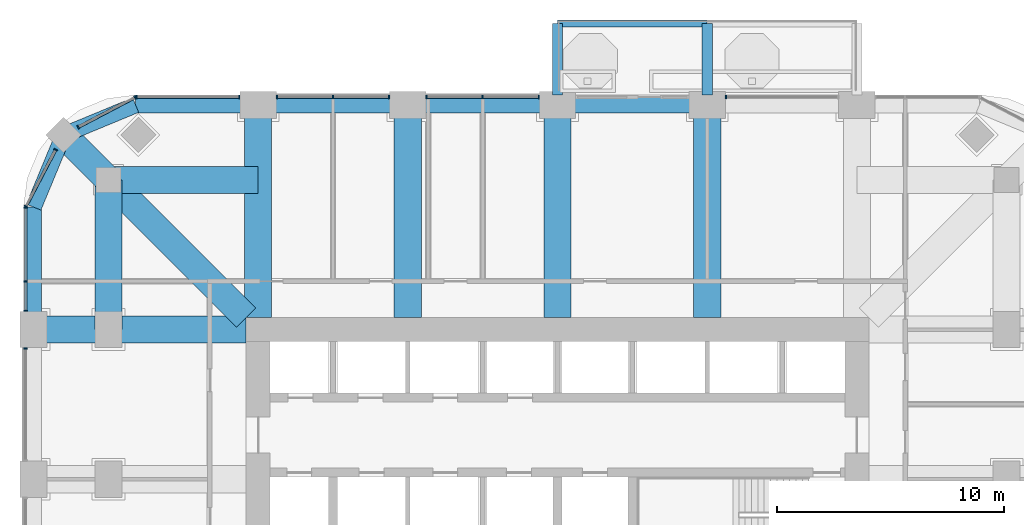
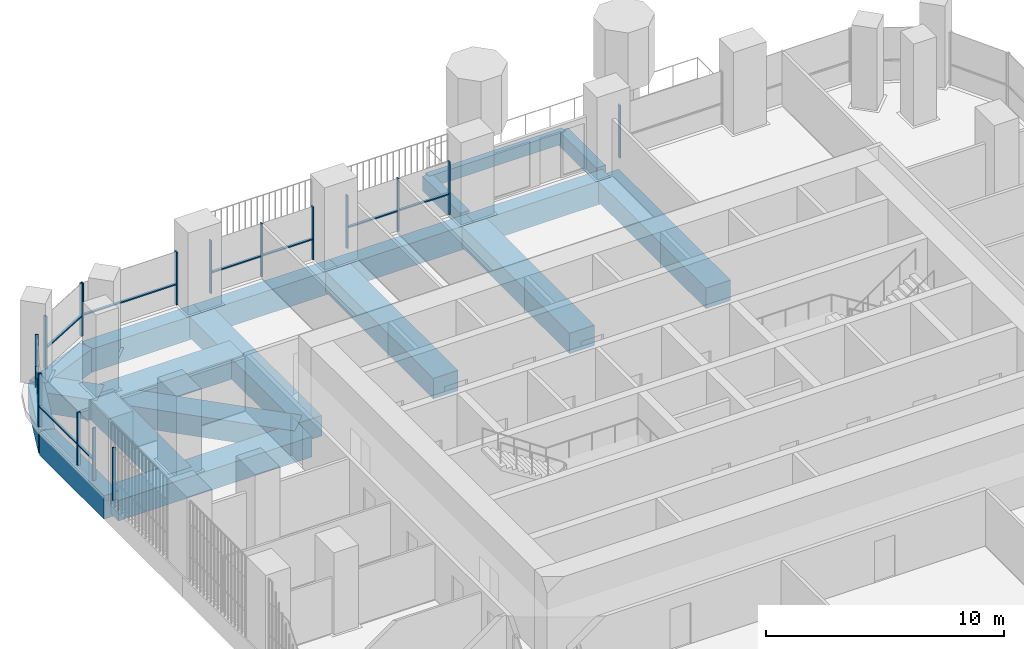
# One storey, part 6 of 20: 26 members, 19 beams, 8 elements without a shape of their own.
"""IFC4 building model written with IfcOpenShell, lengths in metres."""

from ifc_helpers import new_model, si_unit, direction, frame, origin, origin_2d, place, context, subcontext, project, spatial, rectangle, extrude, material, material_profile, profile_set, type_object, element, aggregate, save


model = new_model("IFC4")

# Units and contexts
model_context = context("Model", 3, precision=1e-05, world=origin(), true_north=direction((0.0, 1.0)))
body_context = subcontext(model_context, "Body", "Model", "MODEL_VIEW")
ifc_project = project(units=[si_unit("LENGTHUNIT", "METRE"), si_unit("AREAUNIT", "SQUARE_METRE"), si_unit("VOLUMEUNIT", "CUBIC_METRE"), si_unit("PLANEANGLEUNIT", "RADIAN"), si_unit("MASSUNIT", "GRAM", prefix="KILO")], contexts=[model_context])

# Site, building, storey
site_placement = place(None, origin())
site = spatial("IfcSite", under=ifc_project, at=site_placement, CompositionType="ELEMENT")
building_placement = place(site_placement, origin())
building = spatial("IfcBuilding", under=site, at=building_placement, Name="Cobogo Forest Laboratory Tower", CompositionType="ELEMENT")
storey_placement = place(building_placement, frame((0.0, 0.0, 180.89990234375)))
storey = spatial("IfcBuildingStorey", under=building, at=storey_placement, Name="L41", CompositionType="ELEMENT", Elevation=180.89990234375)

# Beams
ifc_material_1 = material(Name="Concrete HA-40 (C40/50)", Category="concrete")
ifc_material_profile_1 = material_profile(ifc_material_1, rectangle(XDim=0.449951171875, YDim=0.75, at=origin_2d()), Name="RC 450x750")
ifc_profile_set_1 = profile_set([ifc_material_profile_1], Name="Concrete HA-40 (C40/50)")
beam_type_1 = type_object("IfcBeamType", Name="Balcony cantilever beam 450x750", PredefinedType="BEAM", material=ifc_profile_set_1)
for number, where, z_axis, x_axis, name in (
    (1, (26.39990234375, 43.35009765625, -0.625), (0.0, 1.0, 0.0), (-1.0, 0.0, 0.0), "CB1 BAL-N1-C1 L41"),
    (2, (33.0, 43.35009765625, -0.625), (0.0, 1.0, 0.0), (-1.0, 0.0, 0.0), "CB1 BAL-N1-C2 L41"),
):
    element("IfcBeam", number, at=place(storey_placement, frame(where, z_axis=z_axis, x_axis=x_axis)), inside=storey, type_object=beam_type_1, Name=name, PredefinedType="BEAM", context=body_context, shape_type="SweptSolid", body=[
        extrude(rectangle(XDim=0.449951171875, YDim=0.75, at=origin_2d()), origin(), (0.0, 0.0, 1.0), 3.14990234375),
    ])
ifc_material_profile_2 = material_profile(ifc_material_1, rectangle(XDim=0.300048828125, YDim=0.60009765625, at=origin_2d()), Name="RC 300x600")
ifc_profile_set_2 = profile_set([ifc_material_profile_2], Name="Concrete HA-40 (C40/50)")
beam_type_2 = type_object("IfcBeamType", Name="Balcony edge beam 300x600", PredefinedType="BEAM", material=ifc_profile_set_2)
beam_1_placement = place(storey_placement, frame((26.39990234375, 46.5, -0.5498046875), z_axis=(1.0, 0.0, 0.0), x_axis=(0.0, 1.0, 0.0)))
element("IfcBeam", 3, at=beam_1_placement, inside=storey, type_object=beam_type_2, Name="BB1 BAL-N1-T1 L41", PredefinedType="BEAM", context=body_context, shape_type="SweptSolid", body=[
    extrude(rectangle(XDim=0.300048828125, YDim=0.60009765625, at=origin_2d()), origin(), (0.0, 0.0, 1.0), 6.60009765625),
])
ifc_material_profile_3 = material_profile(ifc_material_1, rectangle(XDim=1.199951171875, YDim=1.050048828125, at=origin_2d()), Name="RC 1200x1050")
ifc_profile_set_3 = profile_set([ifc_material_profile_3], Name="Concrete HA-40 (C40/50)")
beam_type_3 = type_object("IfcBeamType", Name="Laboratory floor wide beam 1200x1050", PredefinedType="BEAM", material=ifc_profile_set_3)
for number, where, z_axis, x_axis, name in (
    (4, (13.199951171875, 33.52490234375, -0.824951171875), (0.0, 1.0, 0.0), (-1.0, 0.0, 0.0), "RB1 R-3-N L41"),
    (5, (19.800048828125, 33.52490234375, -0.824951171875), (0.0, 1.0, 0.0), (-1.0, 0.0, 0.0), "RB1 R-4-N L41"),
    (6, (26.39990234375, 33.52490234375, -0.824951171875), (0.0, 1.0, 0.0), (-1.0, 0.0, 0.0), "RB1 R-5-N L41"),
    (7, (33.0, 33.52490234375, -0.824951171875), (0.0, 1.0, 0.0), (-1.0, 0.0, 0.0), "RB1 R-6-N L41"),
    (8, (12.675048828125, 33.0, -0.824951171875), (-1.0, 0.0, 0.0), (0.0, -1.0, 0.0), "RB1 R-F-W L41"),
):
    element("IfcBeam", number, at=place(storey_placement, frame(where, z_axis=z_axis, x_axis=x_axis)), inside=storey, type_object=beam_type_3, Name=name, PredefinedType="BEAM", context=body_context, shape_type="SweptSolid", body=[
        extrude(rectangle(XDim=1.199951171875, YDim=1.050048828125, at=origin_2d()), origin(), (0.0, 0.0, 1.0), 9.375),
    ])
beam_2_placement = place(storey_placement, frame((6.60009765625, 39.60009765625, -0.824951171875), z_axis=(0.0, -1.0, 0.0), x_axis=(1.0, 0.0, 0.0)))
element("IfcBeam", 9, at=beam_2_placement, inside=storey, type_object=beam_type_3, Name="RB1 G-NW-XC L41", PredefinedType="BEAM", context=body_context, shape_type="SweptSolid", body=[
    extrude(rectangle(XDim=1.199951171875, YDim=1.050048828125, at=origin_2d()), origin(), (0.0, 0.0, 1.0), 6.60009765625),
])
beam_3_placement = place(storey_placement, frame((6.60009765625, 39.60009765625, -0.824951171875), z_axis=(1.0, 0.0, 0.0), x_axis=(0.0, 1.0, 0.0)))
element("IfcBeam", 10, at=beam_3_placement, inside=storey, type_object=beam_type_3, Name="RB1 G-NW-YC L41", PredefinedType="BEAM", context=body_context, shape_type="SweptSolid", body=[
    extrude(rectangle(XDim=1.199951171875, YDim=1.050048828125, at=origin_2d()), origin(), (0.0, 0.0, 1.0), 6.599853515625),
])
beam_4_placement = place(storey_placement, frame((4.617919921875, 41.58203125, -0.824951171875), z_axis=(0.707150328948, -0.707063230743, 0.0), x_axis=(0.707063230743, 0.707150328948, 0.0)))
element("IfcBeam", 11, at=beam_4_placement, inside=storey, type_object=beam_type_3, Name="RB1 G-NW-D1 L41", PredefinedType="BEAM", context=body_context, shape_type="SweptSolid", body=[
    extrude(rectangle(XDim=1.199951171875, YDim=1.050048828125, at=origin_2d()), origin(), (0.0, 0.0, 1.0), 2.802978515625),
])
beam_5_placement = place(storey_placement, frame((6.60009765625, 39.60009765625, -0.824951171875), z_axis=(0.707092572697, -0.70712098939, 0.0), x_axis=(0.70712098939, 0.707092572697, 0.0)))
element("IfcBeam", 12, at=beam_5_placement, inside=storey, type_object=beam_type_3, Name="RB1 G-NW-D2 L41", PredefinedType="BEAM", context=body_context, shape_type="SweptSolid", body=[
    extrude(rectangle(XDim=1.199951171875, YDim=1.050048828125, at=origin_2d()), origin(), (0.0, 0.0, 1.0), 8.591552734375),
])

# Curtain wall, member
ifc_material_2 = material(Name="Aluminium curtain wall", Category="aluminium")
curtain_wall_type = type_object("IfcCurtainWallType", Name="CW-2 unitised curtain wall, solar control glazing, laboratory floors zones C and D", PredefinedType="USERDEFINED", material=ifc_material_2)
curtain_wall_1_placement = place(storey_placement, origin())
curtain_wall_1 = element("IfcCurtainWall", 13, at=curtain_wall_1_placement, inside=storey, type_object=curtain_wall_type, Name="Curtain wall 17 L41", ObjectType="UNITISED CURTAIN WALL", PredefinedType="USERDEFINED")
ifc_material_3 = material(Name="Aluminium mullion", Category="aluminium")
ifc_material_profile_4 = material_profile(ifc_material_3, rectangle(XDim=0.06005859375, YDim=0.159912109375, at=origin_2d()), Name="AL 60x160")
ifc_profile_set_4 = profile_set([ifc_material_profile_4], Name="Aluminium mullion")
member_type_1 = type_object("IfcMemberType", Name="MU-1 aluminium mullion 60x160", PredefinedType="MULLION", material=ifc_profile_set_4)
member_1_placement = place(storey_placement, frame((33.830078125, 43.25, 0.0), z_axis=(0.0, 0.0, 1.0), x_axis=(-1.0, 0.0, 0.0)))
member_1 = element("IfcMember", 14, at=member_1_placement, type_object=member_type_1, Name="CW-2 mullion 2", PredefinedType="MULLION", context=body_context, shape_type="SweptSolid", body=[
    extrude(rectangle(XDim=0.06005859375, YDim=0.159912109375, at=origin_2d()), origin(), (0.0, 0.0, 1.0), 2.7001953125),
])
aggregate(curtain_wall_1, [member_1])

# Curtain wall, members
curtain_wall_2_placement = place(storey_placement, origin())
curtain_wall_2 = element("IfcCurtainWall", 15, at=curtain_wall_2_placement, inside=storey, type_object=curtain_wall_type, Name="Curtain wall 19 L41", ObjectType="UNITISED CURTAIN WALL", PredefinedType="USERDEFINED")
member_2_placement = place(storey_placement, frame((25.570068359375, 43.25, 0.0), z_axis=(0.0, 0.0, 1.0), x_axis=(-1.0, 0.0, 0.0)))
member_2 = element("IfcMember", 16, at=member_2_placement, type_object=member_type_1, Name="CW-2 mullion 1", PredefinedType="MULLION", context=body_context, shape_type="SweptSolid", body=[
    extrude(rectangle(XDim=0.06005859375, YDim=0.159912109375, at=origin_2d()), origin(), (0.0, 0.0, 1.0), 2.7001953125),
])
member_3_placement = place(storey_placement, frame((23.10009765625, 43.25, 0.0), z_axis=(0.0, 0.0, 1.0), x_axis=(-1.0, 0.0, 0.0)))
member_3 = element("IfcMember", 17, at=member_3_placement, type_object=member_type_1, Name="CW-2 mullion 2", PredefinedType="MULLION", context=body_context, shape_type="SweptSolid", body=[
    extrude(rectangle(XDim=0.06005859375, YDim=0.159912109375, at=origin_2d()), origin(), (0.0, 0.0, 1.0), 2.7001953125),
])
member_4_placement = place(storey_placement, frame((20.6298828125, 43.25, 0.0), z_axis=(0.0, 0.0, 1.0), x_axis=(-1.0, 0.0, 0.0)))
member_4 = element("IfcMember", 18, at=member_4_placement, type_object=member_type_1, Name="CW-2 mullion 3", PredefinedType="MULLION", context=body_context, shape_type="SweptSolid", body=[
    extrude(rectangle(XDim=0.06005859375, YDim=0.159912109375, at=origin_2d()), origin(), (0.0, 0.0, 1.0), 2.7001953125),
])

curtain_wall_3_placement = place(storey_placement, origin())
curtain_wall_3 = element("IfcCurtainWall", 19, at=curtain_wall_3_placement, inside=storey, type_object=curtain_wall_type, Name="Curtain wall 20 L41", ObjectType="UNITISED CURTAIN WALL", PredefinedType="USERDEFINED")
member_5_placement = place(storey_placement, frame((18.969970703125, 43.25, 0.0), z_axis=(0.0, 0.0, 1.0), x_axis=(-1.0, 0.0, 0.0)))
member_5 = element("IfcMember", 20, at=member_5_placement, type_object=member_type_1, Name="CW-2 mullion 1", PredefinedType="MULLION", context=body_context, shape_type="SweptSolid", body=[
    extrude(rectangle(XDim=0.06005859375, YDim=0.159912109375, at=origin_2d()), origin(), (0.0, 0.0, 1.0), 2.7001953125),
])
member_6_placement = place(storey_placement, frame((16.5, 43.25, 0.0), z_axis=(0.0, 0.0, 1.0), x_axis=(-1.0, 0.0, 0.0)))
member_6 = element("IfcMember", 21, at=member_6_placement, type_object=member_type_1, Name="CW-2 mullion 2", PredefinedType="MULLION", context=body_context, shape_type="SweptSolid", body=[
    extrude(rectangle(XDim=0.06005859375, YDim=0.159912109375, at=origin_2d()), origin(), (0.0, 0.0, 1.0), 2.7001953125),
])
member_7_placement = place(storey_placement, frame((14.030029296875, 43.25, 0.0), z_axis=(0.0, 0.0, 1.0), x_axis=(-1.0, 0.0, 0.0)))
member_7 = element("IfcMember", 22, at=member_7_placement, type_object=member_type_1, Name="CW-2 mullion 3", PredefinedType="MULLION", context=body_context, shape_type="SweptSolid", body=[
    extrude(rectangle(XDim=0.06005859375, YDim=0.159912109375, at=origin_2d()), origin(), (0.0, 0.0, 1.0), 2.7001953125),
])

curtain_wall_4_placement = place(storey_placement, origin())
curtain_wall_4 = element("IfcCurtainWall", 23, at=curtain_wall_4_placement, inside=storey, type_object=curtain_wall_type, Name="Curtain wall 21 L41", ObjectType="UNITISED CURTAIN WALL", PredefinedType="USERDEFINED")
member_8_placement = place(storey_placement, frame((12.3701171875, 43.25, 0.0), z_axis=(0.0, 0.0, 1.0), x_axis=(-1.0, 0.0, 0.0)))
member_8 = element("IfcMember", 24, at=member_8_placement, type_object=member_type_1, Name="CW-2 mullion 1", PredefinedType="MULLION", context=body_context, shape_type="SweptSolid", body=[
    extrude(rectangle(XDim=0.06005859375, YDim=0.159912109375, at=origin_2d()), origin(), (0.0, 0.0, 1.0), 2.7001953125),
])
member_9_placement = place(storey_placement, frame((7.830078125, 43.25, 0.0), z_axis=(0.0, 0.0, 1.0), x_axis=(-1.0, 0.0, 0.0)))
member_9 = element("IfcMember", 25, at=member_9_placement, type_object=member_type_1, Name="CW-2 mullion 2", PredefinedType="MULLION", context=body_context, shape_type="SweptSolid", body=[
    extrude(rectangle(XDim=0.06005859375, YDim=0.159912109375, at=origin_2d()), origin(), (0.0, 0.0, 1.0), 2.7001953125),
])

curtain_wall_5_placement = place(storey_placement, origin())
curtain_wall_5 = element("IfcCurtainWall", 26, at=curtain_wall_5_placement, inside=storey, type_object=curtain_wall_type, Name="Curtain wall 22 L41", ObjectType="UNITISED CURTAIN WALL", PredefinedType="USERDEFINED")
member_10_placement = place(storey_placement, frame((7.7734375, 43.236083984375, 0.0), z_axis=(0.0, 0.0, 1.0), x_axis=(-0.885686484356, -0.464283804832, 0.0)))
member_10 = element("IfcMember", 27, at=member_10_placement, type_object=member_type_1, Name="CW-2 mullion 1", PredefinedType="MULLION", context=body_context, shape_type="SweptSolid", body=[
    extrude(rectangle(XDim=0.06005859375, YDim=0.159912109375, at=origin_2d()), origin(), (0.0, 0.0, 1.0), 2.7001953125),
])
member_11_placement = place(storey_placement, frame((5.275634765625, 41.9267578125, 0.0), z_axis=(0.0, 0.0, 1.0), x_axis=(-0.885686484356, -0.464283804832, 0.0)))
member_11 = element("IfcMember", 28, at=member_11_placement, type_object=member_type_1, Name="CW-2 mullion 2", PredefinedType="MULLION", context=body_context, shape_type="SweptSolid", body=[
    extrude(rectangle(XDim=0.06005859375, YDim=0.159912109375, at=origin_2d()), origin(), (0.0, 0.0, 1.0), 2.7001953125),
])

curtain_wall_6_placement = place(storey_placement, origin())
curtain_wall_6 = element("IfcCurtainWall", 29, at=curtain_wall_6_placement, inside=storey, type_object=curtain_wall_type, Name="Curtain wall 23 L41", ObjectType="UNITISED CURTAIN WALL", PredefinedType="USERDEFINED")
member_12_placement = place(storey_placement, frame((4.2734375, 40.924560546875, 0.0), z_axis=(0.0, 0.0, 1.0), x_axis=(-0.464283804832, -0.885686484356, 0.0)))
member_12 = element("IfcMember", 30, at=member_12_placement, type_object=member_type_1, Name="CW-2 mullion 1", PredefinedType="MULLION", context=body_context, shape_type="SweptSolid", body=[
    extrude(rectangle(XDim=0.06005859375, YDim=0.159912109375, at=origin_2d()), origin(), (0.0, 0.0, 1.0), 2.7001953125),
])
member_13_placement = place(storey_placement, frame((2.9638671875, 38.426513671875, 0.0), z_axis=(0.0, 0.0, 1.0), x_axis=(-0.464283804832, -0.885686484356, 0.0)))
member_13 = element("IfcMember", 31, at=member_13_placement, type_object=member_type_1, Name="CW-2 mullion 2", PredefinedType="MULLION", context=body_context, shape_type="SweptSolid", body=[
    extrude(rectangle(XDim=0.06005859375, YDim=0.159912109375, at=origin_2d()), origin(), (0.0, 0.0, 1.0), 2.7001953125),
])

curtain_wall_7_placement = place(storey_placement, origin())
curtain_wall_7 = element("IfcCurtainWall", 32, at=curtain_wall_7_placement, inside=storey, type_object=curtain_wall_type, Name="Curtain wall 24 L41", ObjectType="UNITISED CURTAIN WALL", PredefinedType="USERDEFINED")
member_14_placement = place(storey_placement, frame((2.949951171875, 38.3701171875, 0.0), z_axis=(0.0, 0.0, 1.0), x_axis=(0.0, -1.0, 0.0)))
member_14 = element("IfcMember", 33, at=member_14_placement, type_object=member_type_1, Name="CW-2 mullion 1", PredefinedType="MULLION", context=body_context, shape_type="SweptSolid", body=[
    extrude(rectangle(XDim=0.06005859375, YDim=0.159912109375, at=origin_2d()), origin(), (0.0, 0.0, 1.0), 2.7001953125),
])
member_15_placement = place(storey_placement, frame((2.949951171875, 35.125, 0.0), z_axis=(0.0, 0.0, 1.0), x_axis=(0.0, -1.0, 0.0)))
member_15 = element("IfcMember", 34, at=member_15_placement, type_object=member_type_1, Name="CW-2 mullion 2", PredefinedType="MULLION", context=body_context, shape_type="SweptSolid", body=[
    extrude(rectangle(XDim=0.06005859375, YDim=0.159912109375, at=origin_2d()), origin(), (0.0, 0.0, 1.0), 2.7001953125),
])
member_16_placement = place(storey_placement, frame((2.949951171875, 33.830078125, 0.0), z_axis=(0.0, 0.0, 1.0), x_axis=(0.0, -1.0, 0.0)))
member_16 = element("IfcMember", 35, at=member_16_placement, type_object=member_type_1, Name="CW-2 mullion 3", PredefinedType="MULLION", context=body_context, shape_type="SweptSolid", body=[
    extrude(rectangle(XDim=0.06005859375, YDim=0.159912109375, at=origin_2d()), origin(), (0.0, 0.0, 1.0), 2.7001953125),
])

# Curtain wall, member
curtain_wall_8_placement = place(storey_placement, origin())
curtain_wall_8 = element("IfcCurtainWall", 36, at=curtain_wall_8_placement, inside=storey, type_object=curtain_wall_type, Name="Curtain wall 25 L41", ObjectType="UNITISED CURTAIN WALL", PredefinedType="USERDEFINED")
member_17_placement = place(storey_placement, frame((2.949951171875, 32.169921875, 0.0), z_axis=(0.0, 0.0, 1.0), x_axis=(0.0, -1.0, 0.0)))
member_17 = element("IfcMember", 37, at=member_17_placement, type_object=member_type_1, Name="CW-2 mullion 1", PredefinedType="MULLION", context=body_context, shape_type="SweptSolid", body=[
    extrude(rectangle(XDim=0.06005859375, YDim=0.159912109375, at=origin_2d()), origin(), (0.0, 0.0, 1.0), 2.7001953125),
])
aggregate(curtain_wall_8, [member_17])

# Beams
ifc_material_profile_5 = material_profile(ifc_material_1, rectangle(XDim=0.699951171875, YDim=1.199951171875, at=origin_2d()), Name="RC 700x1200")
ifc_profile_set_5 = profile_set([ifc_material_profile_5], Name="Concrete HA-40 (C40/50)")
beam_type_4 = type_object("IfcBeamType", Name="Perimeter edge beam 700x1200", PredefinedType="BEAM", material=ifc_profile_set_5)
beam_6_placement = place(storey_placement, frame((13.199951171875, 42.89990234375, -0.89990234375), z_axis=(1.0, 0.0, 0.0), x_axis=(0.0, 1.0, 0.0)))
element("IfcBeam", 38, at=beam_6_placement, inside=storey, type_object=beam_type_4, Name="EB1 E-N1 L41", PredefinedType="BEAM", context=body_context, shape_type="SweptSolid", body=[
    extrude(rectangle(XDim=0.699951171875, YDim=1.199951171875, at=origin_2d()), origin(), (0.0, 0.0, 1.0), 6.60009765625),
])
beam_7_placement = place(storey_placement, frame((19.800048828125, 42.89990234375, -0.89990234375), z_axis=(1.0, 0.0, 0.0), x_axis=(0.0, 1.0, 0.0)))
element("IfcBeam", 39, at=beam_7_placement, inside=storey, type_object=beam_type_4, Name="EB1 E-N2 L41", PredefinedType="BEAM", context=body_context, shape_type="SweptSolid", body=[
    extrude(rectangle(XDim=0.699951171875, YDim=1.199951171875, at=origin_2d()), origin(), (0.0, 0.0, 1.0), 6.599853515625),
])
beam_8_placement = place(storey_placement, frame((26.39990234375, 42.89990234375, -0.89990234375), z_axis=(1.0, 0.0, 0.0), x_axis=(0.0, 1.0, 0.0)))
element("IfcBeam", 40, at=beam_8_placement, inside=storey, type_object=beam_type_4, Name="EB1 E-N3 L41", PredefinedType="BEAM", context=body_context, shape_type="SweptSolid", body=[
    extrude(rectangle(XDim=0.699951171875, YDim=1.199951171875, at=origin_2d()), origin(), (0.0, 0.0, 1.0), 6.60009765625),
])
beam_9_placement = place(storey_placement, frame((13.199951171875, 42.89990234375, -0.89990234375), z_axis=(-1.0, 0.0, 0.0), x_axis=(0.0, -1.0, 0.0)))
element("IfcBeam", 41, at=beam_9_placement, inside=storey, type_object=beam_type_4, Name="EB1 E-NWN1 L41", PredefinedType="BEAM", context=body_context, shape_type="SweptSolid", body=[
    extrude(rectangle(XDim=0.699951171875, YDim=1.199951171875, at=origin_2d()), origin(), (0.0, 0.0, 1.0), 5.39990234375),
])
beam_10_placement = place(storey_placement, frame((7.800048828125, 42.89990234375, -0.89990234375), z_axis=(-0.923901072997, -0.382631424892, 0.0), x_axis=(0.382631424892, -0.923901072997, 0.0)))
element("IfcBeam", 42, at=beam_10_placement, inside=storey, type_object=beam_type_4, Name="EB1 E-NWN2 L41", PredefinedType="BEAM", context=body_context, shape_type="SweptSolid", body=[
    extrude(rectangle(XDim=0.699951171875, YDim=1.199951171875, at=origin_2d()), origin(), (0.0, 0.0, 1.0), 3.4443359375),
])
beam_11_placement = place(storey_placement, frame((3.300048828125, 33.0, -0.89990234375), z_axis=(0.0, 1.0, 0.0), x_axis=(-1.0, 0.0, 0.0)))
element("IfcBeam", 43, at=beam_11_placement, inside=storey, type_object=beam_type_4, Name="EB1 E-NWW1 L41", PredefinedType="BEAM", context=body_context, shape_type="SweptSolid", body=[
    extrude(rectangle(XDim=0.699951171875, YDim=1.199951171875, at=origin_2d()), origin(), (0.0, 0.0, 1.0), 5.39990234375),
])
beam_12_placement = place(storey_placement, frame((3.300048828125, 38.39990234375, -0.89990234375), z_axis=(0.382631424892, 0.923901072997, 0.0), x_axis=(-0.923901072997, 0.382631424892, 0.0)))
element("IfcBeam", 44, at=beam_12_placement, inside=storey, type_object=beam_type_4, Name="EB1 E-NWW2 L41", PredefinedType="BEAM", context=body_context, shape_type="SweptSolid", body=[
    extrude(rectangle(XDim=0.699951171875, YDim=1.199951171875, at=origin_2d()), origin(), (0.0, 0.0, 1.0), 3.4443359375),
])

# Member
ifc_material_4 = material(Name="Aluminium transom", Category="aluminium")
ifc_material_profile_6 = material_profile(ifc_material_4, rectangle(XDim=0.1201171875, YDim=0.06005859375, at=origin_2d()), Name="AL 60x120")
ifc_profile_set_6 = profile_set([ifc_material_profile_6], Name="Aluminium transom")
member_type_2 = type_object("IfcMemberType", Name="TR-1 aluminium transom 60x120", PredefinedType="USERDEFINED", material=ifc_profile_set_6)
member_18_placement = place(storey_placement, frame((25.5400390625, 43.25, 1.050048828125), z_axis=(-1.0, 0.0, 0.0), x_axis=(0.0, -1.0, 0.0)))
member_18 = element("IfcMember", 45, at=member_18_placement, type_object=member_type_2, Name="CW-2 transom 1.1", ObjectType="TRANSOM", PredefinedType="USERDEFINED", context=body_context, shape_type="SweptSolid", body=[
    extrude(rectangle(XDim=0.1201171875, YDim=0.06005859375, at=origin_2d()), origin(), (0.0, 0.0, 1.0), 2.41015625),
])

member_19_placement = place(storey_placement, frame((23.070068359375, 43.25, 1.050048828125), z_axis=(-1.0, 0.0, 0.0), x_axis=(0.0, -1.0, 0.0)))
member_19 = element("IfcMember", 46, at=member_19_placement, type_object=member_type_2, Name="CW-2 transom 2.1", ObjectType="TRANSOM", PredefinedType="USERDEFINED", context=body_context, shape_type="SweptSolid", body=[
    extrude(rectangle(XDim=0.1201171875, YDim=0.06005859375, at=origin_2d()), origin(), (0.0, 0.0, 1.0), 2.41015625),
])

aggregate(curtain_wall_2, [member_2, member_3, member_4, member_18, member_19])

member_20_placement = place(storey_placement, frame((18.93994140625, 43.25, 1.050048828125), z_axis=(-1.0, 0.0, 0.0), x_axis=(0.0, -1.0, 0.0)))
member_20 = element("IfcMember", 47, at=member_20_placement, type_object=member_type_2, Name="CW-2 transom 1.1", ObjectType="TRANSOM", PredefinedType="USERDEFINED", context=body_context, shape_type="SweptSolid", body=[
    extrude(rectangle(XDim=0.1201171875, YDim=0.06005859375, at=origin_2d()), origin(), (0.0, 0.0, 1.0), 2.409912109375),
])

member_21_placement = place(storey_placement, frame((16.469970703125, 43.25, 1.050048828125), z_axis=(-1.0, 0.0, 0.0), x_axis=(0.0, -1.0, 0.0)))
member_21 = element("IfcMember", 48, at=member_21_placement, type_object=member_type_2, Name="CW-2 transom 2.1", ObjectType="TRANSOM", PredefinedType="USERDEFINED", context=body_context, shape_type="SweptSolid", body=[
    extrude(rectangle(XDim=0.1201171875, YDim=0.06005859375, at=origin_2d()), origin(), (0.0, 0.0, 1.0), 2.409912109375),
])

aggregate(curtain_wall_3, [member_5, member_6, member_7, member_20, member_21])

member_22_placement = place(storey_placement, frame((12.340087890625, 43.25, 1.050048828125), z_axis=(-1.0, 0.0, 0.0), x_axis=(0.0, -1.0, 0.0)))
member_22 = element("IfcMember", 49, at=member_22_placement, type_object=member_type_2, Name="CW-2 transom 1.1", ObjectType="TRANSOM", PredefinedType="USERDEFINED", context=body_context, shape_type="SweptSolid", body=[
    extrude(rectangle(XDim=0.1201171875, YDim=0.06005859375, at=origin_2d()), origin(), (0.0, 0.0, 1.0), 4.47998046875),
])

aggregate(curtain_wall_4, [member_8, member_9, member_22])

member_23_placement = place(storey_placement, frame((7.746826171875, 43.22216796875, 1.050048828125), z_axis=(-0.88570166389, -0.464254846591, 0.0), x_axis=(0.464254846591, -0.88570166389, 0.0)))
member_23 = element("IfcMember", 50, at=member_23_placement, type_object=member_type_2, Name="CW-2 transom 1.1", ObjectType="TRANSOM", PredefinedType="USERDEFINED", context=body_context, shape_type="SweptSolid", body=[
    extrude(rectangle(XDim=0.1201171875, YDim=0.06005859375, at=origin_2d()), origin(), (0.0, 0.0, 1.0), 2.76025390625),
])

aggregate(curtain_wall_5, [member_10, member_11, member_23])

member_24_placement = place(storey_placement, frame((4.259521484375, 40.89794921875, 1.050048828125), z_axis=(-0.464324225592, -0.885665294301, 0.0), x_axis=(0.885665294301, -0.464324225592, 0.0)))
member_24 = element("IfcMember", 51, at=member_24_placement, type_object=member_type_2, Name="CW-2 transom 1.1", ObjectType="TRANSOM", PredefinedType="USERDEFINED", context=body_context, shape_type="SweptSolid", body=[
    extrude(rectangle(XDim=0.1201171875, YDim=0.06005859375, at=origin_2d()), origin(), (0.0, 0.0, 1.0), 2.760498046875),
])

aggregate(curtain_wall_6, [member_12, member_13, member_24])

member_25_placement = place(storey_placement, frame((2.949951171875, 38.340087890625, 1.050048828125), z_axis=(0.0, -1.0, 0.0), x_axis=(1.0, 0.0, 0.0)))
member_25 = element("IfcMember", 52, at=member_25_placement, type_object=member_type_2, Name="CW-2 transom 1.1", ObjectType="TRANSOM", PredefinedType="USERDEFINED", context=body_context, shape_type="SweptSolid", body=[
    extrude(rectangle(XDim=0.1201171875, YDim=0.06005859375, at=origin_2d()), origin(), (0.0, 0.0, 1.0), 3.18505859375),
])

member_26_placement = place(storey_placement, frame((2.949951171875, 35.094970703125, 1.050048828125), z_axis=(0.0, -1.0, 0.0), x_axis=(1.0, 0.0, 0.0)))
member_26 = element("IfcMember", 53, at=member_26_placement, type_object=member_type_2, Name="CW-2 transom 2.1", ObjectType="TRANSOM", PredefinedType="USERDEFINED", context=body_context, shape_type="SweptSolid", body=[
    extrude(rectangle(XDim=0.1201171875, YDim=0.06005859375, at=origin_2d()), origin(), (0.0, 0.0, 1.0), 1.23486328125),
])

aggregate(curtain_wall_7, [member_14, member_15, member_16, member_25, member_26])

save(model, "model.ifc")
